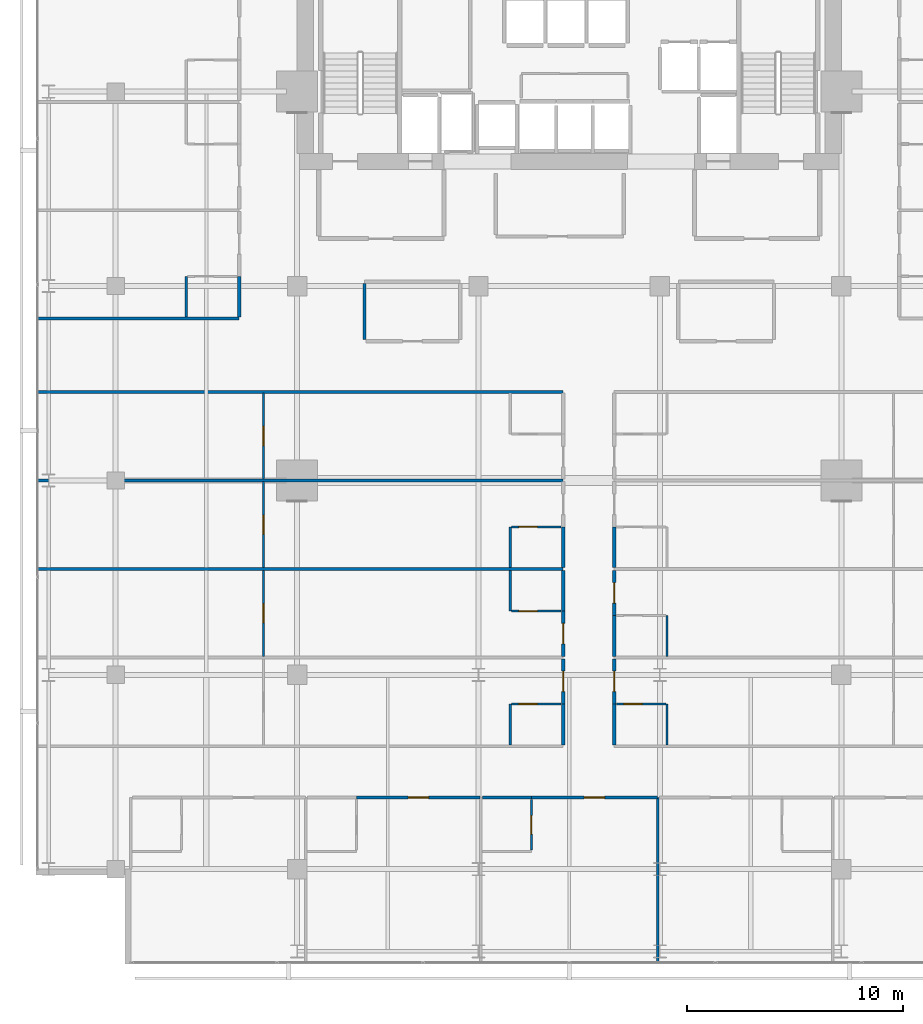
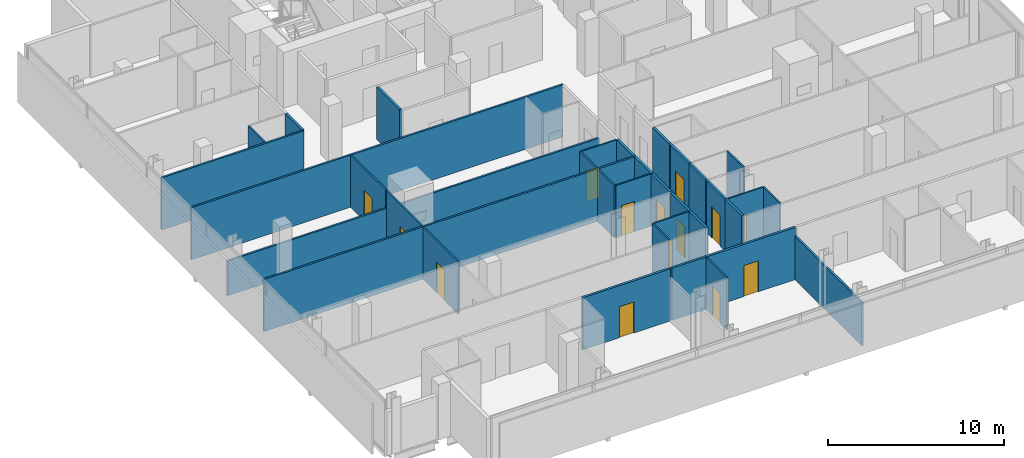
# One storey, part 27 of 34: 34 walls, 14 doors, 14 openings.
"""IFC4 building model written with IfcOpenShell, lengths in metres."""

from ifc_helpers import new_model, si_unit, direction, frame, frame_2d, origin, place, context, subcontext, project, spatial, rectangle, extrude, material, layer, layer_set, type_object, element, fill, save


model = new_model("IFC4")

# Units and contexts
model_context = context("Model", 3, precision=1e-05, world=origin(), true_north=direction((0.0, 1.0)))
body_context = subcontext(model_context, "Body", "Model", "MODEL_VIEW")
ifc_project = project(units=[si_unit("LENGTHUNIT", "METRE"), si_unit("AREAUNIT", "SQUARE_METRE"), si_unit("VOLUMEUNIT", "CUBIC_METRE"), si_unit("PLANEANGLEUNIT", "RADIAN"), si_unit("MASSUNIT", "GRAM", prefix="KILO")], contexts=[model_context])

# Site, building, storey
site_placement = place(None, origin())
site = spatial("IfcSite", under=ifc_project, at=site_placement, CompositionType="ELEMENT")
building_placement = place(site_placement, origin())
building = spatial("IfcBuilding", under=site, at=building_placement, Name="Maruvema Waterfront Hotel and Observation Tower", CompositionType="ELEMENT")
storey_placement = place(building_placement, frame((0.0, 0.0, 173.60009765625)))
storey = spatial("IfcBuildingStorey", under=building, at=storey_placement, Name="L42", CompositionType="ELEMENT", Elevation=173.60009765625)

# Wall
ifc_material_1 = material(Name="Twin-stud acoustic gypsum drywall", Category="gypsum")
ifc_layer_1 = layer(ifc_material_1, 0.14990234375, Name="Acoustic Corridor and Suite Demising Wall 150 mm")
ifc_layer_set_1 = layer_set([ifc_layer_1], Name="Twin-stud acoustic gypsum drywall")
wall_type_1 = type_object("IfcWallType", Name="Acoustic Corridor and Suite Demising Wall 150 mm", PredefinedType="PARTITIONING", material=ifc_layer_set_1)
wall_1_placement = place(storey_placement, frame((28.320068359375, 33.530029296875, 0.0), z_axis=(0.0, 0.0, 1.0), x_axis=(0.0, 1.0, 0.0)))
element("IfcWall", 1, at=wall_1_placement, inside=storey, type_object=wall_type_1, Name="L42 L42-M1 West Wall 022", PredefinedType="PARTITIONING", context=body_context, shape_type="SweptSolid", body=[
    extrude(rectangle(XDim=2.590087890625, YDim=0.14990234375, at=frame_2d((1.294921875, 0.0))), origin(), (0.0, 0.0, 1.0), 3.60986328125),
])

# Wall, opening, door
wall_2_placement = place(storey_placement, frame((27.949951171875, 12.320068359375, 0.0), z_axis=(0.0, 0.0, 1.0), x_axis=(1.0, 0.0, 0.0)))
wall_2 = element("IfcWall", 2, at=wall_2_placement, inside=storey, type_object=wall_type_1, Name="L42 Unit L42-S2 Corridor Wall 039", PredefinedType="PARTITIONING", context=body_context, shape_type="SweptSolid", body=[
    extrude(rectangle(XDim=5.72998046875, YDim=0.14990234375, at=frame_2d((2.864990234375, 0.0))), origin(), (0.0, 0.0, 1.0), 3.60986328125),
])
opening_1_placement = place(wall_2_placement, frame((2.389892578125, 0.0, 0.0)))
opening_1 = element("IfcOpeningElement", 3, at=opening_1_placement, cuts=wall_2, Name="Opening DR-095", PredefinedType="OPENING", context=body_context, shape_type="SweptSolid", body=[
    extrude(rectangle(XDim=0.949951171875, YDim=2.14990234375, at=frame_2d((0.47509765625, 1.074951171875))), frame((0.0, 0.0849609375, 0.0), z_axis=(0.0, -1.0, 0.0), x_axis=(1.0, 0.0, 0.0)), (0.0, 0.0, 1.0), 0.169921875),
])
ifc_material_2 = material(Name="Acoustic solid-core hardwood timber leaf", Category="wood")
door_type_1 = type_object("IfcDoorType", Name="Guestroom Entrance Fire Door 950x2150 mm", OperationType="NOTDEFINED", PredefinedType="DOOR", material=ifc_material_2)
door_1_placement = place(opening_1_placement, frame((0.949951171875, 0.0, 0.0), z_axis=(0.0, 0.0, 1.0), x_axis=(-1.0, 0.0, 0.0)))
door_1 = element("IfcDoor", 4, at=door_1_placement, inside=storey, type_object=door_type_1, Name="L42 Unit L42-S2 Entrance Door", OperationType="SINGLE_SWING_LEFT", OverallHeight=2.14990234375, OverallWidth=0.949951171875, PredefinedType="DOOR", context=body_context, shape_type="SweptSolid", body=[
    extrude(rectangle(XDim=0.949951171875, YDim=2.14990234375, at=frame_2d((0.47509765625, 1.074951171875))), frame((0.0, 0.02490234375, 0.0), z_axis=(0.0, -1.0, 0.0), x_axis=(1.0, 0.0, 0.0)), (0.0, 0.0, 1.0), 0.050048828125),
])
fill(opening_1, door_1)

# Wall
wall_3_placement = place(storey_placement, frame((33.780029296875, 12.320068359375, 0.0), z_axis=(0.0, 0.0, 1.0), x_axis=(1.0, 0.0, 0.0)))
element("IfcWall", 5, at=wall_3_placement, inside=storey, type_object=wall_type_1, Name="L42 Bath L42-S3 Back Wall 041", PredefinedType="PARTITIONING", context=body_context, shape_type="SweptSolid", body=[
    extrude(rectangle(XDim=2.27001953125, YDim=0.14990234375, at=frame_2d((1.135009765625, 0.0))), origin(), (0.0, 0.0, 1.0), 3.60986328125),
])

# Wall, opening, door
wall_4_placement = place(storey_placement, frame((36.050048828125, 12.320068359375, 0.0), z_axis=(0.0, 0.0, 1.0), x_axis=(1.0, 0.0, 0.0)))
wall_4 = element("IfcWall", 6, at=wall_4_placement, inside=storey, type_object=wall_type_1, Name="L42 Unit L42-S3 Corridor Wall 044", PredefinedType="PARTITIONING", context=body_context, shape_type="SweptSolid", body=[
    extrude(rectangle(XDim=5.829833984375, YDim=0.14990234375, at=frame_2d((2.9150390625, 0.0))), origin(), (0.0, 0.0, 1.0), 3.60986328125),
])
opening_2_placement = place(wall_4_placement, frame((2.43994140625, 0.0, 0.0)))
opening_2 = element("IfcOpeningElement", 7, at=opening_2_placement, cuts=wall_4, Name="Opening DR-095", PredefinedType="OPENING", context=body_context, shape_type="SweptSolid", body=[
    extrude(rectangle(XDim=0.949951171875, YDim=2.14990234375, at=frame_2d((0.47509765625, 1.074951171875))), frame((0.0, 0.0849609375, 0.0), z_axis=(0.0, -1.0, 0.0), x_axis=(1.0, 0.0, 0.0)), (0.0, 0.0, 1.0), 0.169921875),
])
door_2_placement = place(opening_2_placement, frame((0.949951171875, 0.0, 0.0), z_axis=(0.0, 0.0, 1.0), x_axis=(-1.0, 0.0, 0.0)))
door_2 = element("IfcDoor", 8, at=door_2_placement, inside=storey, type_object=door_type_1, Name="L42 Unit L42-S3 Entrance Door", OperationType="SINGLE_SWING_LEFT", OverallHeight=2.14990234375, OverallWidth=0.949951171875, PredefinedType="DOOR", context=body_context, shape_type="SweptSolid", body=[
    extrude(rectangle(XDim=0.949951171875, YDim=2.14990234375, at=frame_2d((0.47509765625, 1.074951171875))), frame((0.0, 0.02490234375, 0.0), z_axis=(0.0, -1.0, 0.0), x_axis=(1.0, 0.0, 0.0)), (0.0, 0.0, 1.0), 0.050048828125),
])
fill(opening_2, door_2)

# Wall
wall_5_placement = place(storey_placement, frame((37.52001953125, 14.760009765625, 0.0), z_axis=(0.0, 0.0, 1.0), x_axis=(0.0, 1.0, 0.0)))
element("IfcWall", 9, at=wall_5_placement, inside=storey, type_object=wall_type_1, Name="L42 Bath L42-W1 Wall 059", PredefinedType="PARTITIONING", context=body_context, shape_type="SweptSolid", body=[
    extrude(rectangle(XDim=1.889892578125, YDim=0.14990234375, at=frame_2d((0.94482421875, 0.0))), origin(), (0.0, 0.0, 1.0), 3.60986328125),
])

# Wall, opening, door
wall_6_placement = place(storey_placement, frame((37.52001953125, 16.64990234375, 0.0), z_axis=(0.0, 0.0, 1.0), x_axis=(0.0, 1.0, 0.0)))
wall_6 = element("IfcWall", 10, at=wall_6_placement, inside=storey, type_object=wall_type_1, Name="L42 Room L42-W1 Corridor Wall 060", PredefinedType="PARTITIONING", context=body_context, shape_type="SweptSolid", body=[
    extrude(rectangle(XDim=2.090087890625, YDim=0.14990234375, at=frame_2d((1.044921875, 0.0))), origin(), (0.0, 0.0, 1.0), 3.60986328125),
])
opening_3_placement = place(wall_6_placement, frame((0.570068359375, 0.0, 0.0)))
opening_3 = element("IfcOpeningElement", 11, at=opening_3_placement, cuts=wall_6, Name="Opening DR-095", PredefinedType="OPENING", context=body_context, shape_type="SweptSolid", body=[
    extrude(rectangle(XDim=0.949951171875, YDim=2.14990234375, at=frame_2d((0.47509765625, 1.074951171875))), frame((0.0, 0.0849609375, 0.0), z_axis=(0.0, -1.0, 0.0), x_axis=(1.0, 0.0, 0.0)), (0.0, 0.0, 1.0), 0.169921875),
])
door_3_placement = place(opening_3_placement, origin())
door_3 = element("IfcDoor", 12, at=door_3_placement, inside=storey, type_object=door_type_1, Name="L42 Room L42-W1 Entrance Door", OperationType="SINGLE_SWING_LEFT", OverallHeight=2.14990234375, OverallWidth=0.949951171875, PredefinedType="DOOR", context=body_context, shape_type="SweptSolid", body=[
    extrude(rectangle(XDim=0.949951171875, YDim=2.14990234375, at=frame_2d((0.47509765625, 1.074951171875))), frame((0.0, 0.02490234375, 0.0), z_axis=(0.0, -1.0, 0.0), x_axis=(1.0, 0.0, 0.0)), (0.0, 0.0, 1.0), 0.050048828125),
])
fill(opening_3, door_3)

# Wall
wall_7_placement = place(storey_placement, frame((39.8798828125, 14.760009765625, 0.0), z_axis=(0.0, 0.0, 1.0), x_axis=(0.0, 1.0, 0.0)))
element("IfcWall", 13, at=wall_7_placement, inside=storey, type_object=wall_type_1, Name="L42 Bath L42-E1 Wall 064", PredefinedType="PARTITIONING", context=body_context, shape_type="SweptSolid", body=[
    extrude(rectangle(XDim=1.889892578125, YDim=0.14990234375, at=frame_2d((0.94482421875, 0.0))), origin(), (0.0, 0.0, 1.0), 3.60986328125),
])

# Wall, opening, door
wall_8_placement = place(storey_placement, frame((39.8798828125, 16.64990234375, 0.0), z_axis=(0.0, 0.0, 1.0), x_axis=(0.0, 1.0, 0.0)))
wall_8 = element("IfcWall", 14, at=wall_8_placement, inside=storey, type_object=wall_type_1, Name="L42 Room L42-E1 Corridor Wall 065", PredefinedType="PARTITIONING", context=body_context, shape_type="SweptSolid", body=[
    extrude(rectangle(XDim=2.090087890625, YDim=0.14990234375, at=frame_2d((1.044921875, 0.0))), origin(), (0.0, 0.0, 1.0), 3.60986328125),
])
opening_4_placement = place(wall_8_placement, frame((0.570068359375, 0.0, 0.0)))
opening_4 = element("IfcOpeningElement", 15, at=opening_4_placement, cuts=wall_8, Name="Opening DR-095", PredefinedType="OPENING", context=body_context, shape_type="SweptSolid", body=[
    extrude(rectangle(XDim=0.949951171875, YDim=2.14990234375, at=frame_2d((0.47509765625, 1.074951171875))), frame((0.0, 0.0849609375, 0.0), z_axis=(0.0, -1.0, 0.0), x_axis=(1.0, 0.0, 0.0)), (0.0, 0.0, 1.0), 0.169921875),
])
door_4_placement = place(opening_4_placement, frame((0.949951171875, 0.0, 0.0), z_axis=(0.0, 0.0, 1.0), x_axis=(-1.0, 0.0, 0.0)))
door_4 = element("IfcDoor", 16, at=door_4_placement, inside=storey, type_object=door_type_1, Name="L42 Room L42-E1 Entrance Door", OperationType="SINGLE_SWING_RIGHT", OverallHeight=2.14990234375, OverallWidth=0.949951171875, PredefinedType="DOOR", context=body_context, shape_type="SweptSolid", body=[
    extrude(rectangle(XDim=0.949951171875, YDim=2.14990234375, at=frame_2d((0.47509765625, 1.074951171875))), frame((0.0, 0.02490234375, 0.0), z_axis=(0.0, -1.0, 0.0), x_axis=(1.0, 0.0, 0.0)), (0.0, 0.0, 1.0), 0.050048828125),
])
fill(opening_4, door_4)

wall_9_placement = place(storey_placement, frame((37.52001953125, 18.860107421875, 0.0), z_axis=(0.0, 0.0, 1.0), x_axis=(0.0, 1.0, 0.0)))
wall_9 = element("IfcWall", 17, at=wall_9_placement, inside=storey, type_object=wall_type_1, Name="L42 Room L42-W2 Corridor Wall 071", PredefinedType="PARTITIONING", context=body_context, shape_type="SweptSolid", body=[
    extrude(rectangle(XDim=2.08984375, YDim=0.14990234375, at=frame_2d((1.044921875, 0.0))), origin(), (0.0, 0.0, 1.0), 3.60986328125),
])
opening_5_placement = place(wall_9_placement, frame((0.570068359375, 0.0, 0.0)))
opening_5 = element("IfcOpeningElement", 18, at=opening_5_placement, cuts=wall_9, Name="Opening DR-095", PredefinedType="OPENING", context=body_context, shape_type="SweptSolid", body=[
    extrude(rectangle(XDim=0.949951171875, YDim=2.14990234375, at=frame_2d((0.47509765625, 1.074951171875))), frame((0.0, 0.0849609375, 0.0), z_axis=(0.0, -1.0, 0.0), x_axis=(1.0, 0.0, 0.0)), (0.0, 0.0, 1.0), 0.169921875),
])
door_5_placement = place(opening_5_placement, origin())
door_5 = element("IfcDoor", 19, at=door_5_placement, inside=storey, type_object=door_type_1, Name="L42 Room L42-W2 Entrance Door", OperationType="SINGLE_SWING_LEFT", OverallHeight=2.14990234375, OverallWidth=0.949951171875, PredefinedType="DOOR", context=body_context, shape_type="SweptSolid", body=[
    extrude(rectangle(XDim=0.949951171875, YDim=2.14990234375, at=frame_2d((0.47509765625, 1.074951171875))), frame((0.0, 0.02490234375, 0.0), z_axis=(0.0, -1.0, 0.0), x_axis=(1.0, 0.0, 0.0)), (0.0, 0.0, 1.0), 0.050048828125),
])
fill(opening_5, door_5)

# Walls
wall_10_placement = place(storey_placement, frame((37.52001953125, 20.949951171875, 0.0), z_axis=(0.0, 0.0, 1.0), x_axis=(0.0, 1.0, 0.0)))
element("IfcWall", 20, at=wall_10_placement, inside=storey, type_object=wall_type_1, Name="L42 Bath L42-W2 Wall 072", PredefinedType="PARTITIONING", context=body_context, shape_type="SweptSolid", body=[
    extrude(rectangle(XDim=1.89013671875, YDim=0.14990234375, at=frame_2d((0.945068359375, 0.0))), origin(), (0.0, 0.0, 1.0), 3.60986328125),
])
wall_11_placement = place(storey_placement, frame((39.8798828125, 18.860107421875, 0.0), z_axis=(0.0, 0.0, 1.0), x_axis=(0.0, 1.0, 0.0)))
element("IfcWall", 21, at=wall_11_placement, inside=storey, type_object=wall_type_1, Name="L42 Bath L42-E2 Wall 076", PredefinedType="PARTITIONING", context=body_context, shape_type="SweptSolid", body=[
    extrude(rectangle(XDim=1.889892578125, YDim=0.14990234375, at=frame_2d((0.94482421875, 0.0))), origin(), (0.0, 0.0, 1.0), 3.60986328125),
])

# Wall, opening, door
wall_12_placement = place(storey_placement, frame((39.8798828125, 20.75, 0.0), z_axis=(0.0, 0.0, 1.0), x_axis=(0.0, 1.0, 0.0)))
wall_12 = element("IfcWall", 22, at=wall_12_placement, inside=storey, type_object=wall_type_1, Name="L42 Room L42-E2 Corridor Wall 077", PredefinedType="PARTITIONING", context=body_context, shape_type="SweptSolid", body=[
    extrude(rectangle(XDim=2.090087890625, YDim=0.14990234375, at=frame_2d((1.044921875, 0.0))), origin(), (0.0, 0.0, 1.0), 3.60986328125),
])
opening_6_placement = place(wall_12_placement, frame((0.570068359375, 0.0, 0.0)))
opening_6 = element("IfcOpeningElement", 23, at=opening_6_placement, cuts=wall_12, Name="Opening DR-095", PredefinedType="OPENING", context=body_context, shape_type="SweptSolid", body=[
    extrude(rectangle(XDim=0.949951171875, YDim=2.14990234375, at=frame_2d((0.47509765625, 1.074951171875))), frame((0.0, 0.0849609375, 0.0), z_axis=(0.0, -1.0, 0.0), x_axis=(1.0, 0.0, 0.0)), (0.0, 0.0, 1.0), 0.169921875),
])
door_6_placement = place(opening_6_placement, frame((0.949951171875, 0.0, 0.0), z_axis=(0.0, 0.0, 1.0), x_axis=(-1.0, 0.0, 0.0)))
door_6 = element("IfcDoor", 24, at=door_6_placement, inside=storey, type_object=door_type_1, Name="L42 Room L42-E2 Entrance Door", OperationType="SINGLE_SWING_RIGHT", OverallHeight=2.14990234375, OverallWidth=0.949951171875, PredefinedType="DOOR", context=body_context, shape_type="SweptSolid", body=[
    extrude(rectangle(XDim=0.949951171875, YDim=2.14990234375, at=frame_2d((0.47509765625, 1.074951171875))), frame((0.0, 0.02490234375, 0.0), z_axis=(0.0, -1.0, 0.0), x_axis=(1.0, 0.0, 0.0)), (0.0, 0.0, 1.0), 0.050048828125),
])
fill(opening_6, door_6)

# Walls
for number, where, z_axis, x_axis, name in (
    (25, (37.52001953125, 22.9599609375, 0.0), (0.0, 0.0, 1.0), (0.0, 1.0, 0.0), "L42 Bath L42-W3 Wall 083"),
    (26, (39.8798828125, 22.9599609375, 0.0), (0.0, 0.0, 1.0), (0.0, 1.0, 0.0), "L42 Bath L42-E3 Wall 088"),
):
    element("IfcWall", number, at=place(storey_placement, frame(where, z_axis=z_axis, x_axis=x_axis)), inside=storey, type_object=wall_type_1, Name=name, PredefinedType="PARTITIONING", context=body_context, shape_type="SweptSolid", body=[
        extrude(rectangle(XDim=1.89013671875, YDim=0.14990234375, at=frame_2d((0.945068359375, 0.0))), origin(), (0.0, 0.0, 1.0), 3.60986328125),
    ])
wall_13_placement = place(storey_placement, frame((22.52001953125, 34.56005859375, 0.0), z_axis=(0.0, 0.0, 1.0), x_axis=(0.0, 1.0, 0.0)))
element("IfcWall", 27, at=wall_13_placement, inside=storey, type_object=wall_type_1, Name="L42 Bath L42-NW1 Wall 109", PredefinedType="PARTITIONING", context=body_context, shape_type="SweptSolid", body=[
    extrude(rectangle(XDim=1.889892578125, YDim=0.14990234375, at=frame_2d((0.94482421875, 0.0))), origin(), (0.0, 0.0, 1.0), 3.60986328125),
])

# Wall, opening, door
ifc_material_3 = material(Name="Moisture-resistant cement-board drywall", Category="gypsum")
ifc_layer_2 = layer(ifc_material_3, 0.10009765625, Name="En-Suite Moisture-Resistant Partition 100 mm")
ifc_layer_set_2 = layer_set([ifc_layer_2], Name="Moisture-resistant cement-board drywall")
wall_type_2 = type_object("IfcWallType", Name="En-Suite Moisture-Resistant Partition 100 mm", PredefinedType="PARTITIONING", material=ifc_layer_set_2)
wall_14_placement = place(storey_placement, frame((36.050048828125, 9.8798828125, 0.0), z_axis=(0.0, 0.0, 1.0), x_axis=(0.0, 1.0, 0.0)))
wall_14 = element("IfcWall", 28, at=wall_14_placement, inside=storey, type_object=wall_type_2, Name="L42 En-Suite L42-S3 East 043", PredefinedType="PARTITIONING", context=body_context, shape_type="SweptSolid", body=[
    extrude(rectangle(XDim=2.340087890625, YDim=0.10009765625, at=frame_2d((1.169921875, 0.0))), origin(), (0.0, 0.0, 1.0), 3.60986328125),
])
opening_7_placement = place(wall_14_placement, frame((0.7451171875, 0.0, 0.0)))
opening_7 = element("IfcOpeningElement", 29, at=opening_7_placement, cuts=wall_14, Name="Opening DR-085", PredefinedType="OPENING", context=body_context, shape_type="SweptSolid", body=[
    extrude(rectangle(XDim=0.85009765625, YDim=2.10009765625, at=frame_2d((0.425048828125, 1.050048828125))), frame((0.0, 0.06005859375, 0.0), z_axis=(0.0, -1.0, 0.0), x_axis=(1.0, 0.0, 0.0)), (0.0, 0.0, 1.0), 0.1201171875),
])
ifc_material_4 = material(Name="Moisture-resistant solid timber leaf", Category="wood")
door_type_2 = type_object("IfcDoorType", Name="En-Suite Bathroom Door 850x2100 mm", OperationType="NOTDEFINED", PredefinedType="DOOR", material=ifc_material_4)
door_7_placement = place(opening_7_placement, frame((0.85009765625, 0.0, 0.0), z_axis=(0.0, 0.0, 1.0), x_axis=(-1.0, 0.0, 0.0)))
door_7 = element("IfcDoor", 30, at=door_7_placement, inside=storey, type_object=door_type_2, Name="L42 En-Suite L42-S3 Door", OperationType="SINGLE_SWING_RIGHT", OverallHeight=2.10009765625, OverallWidth=0.85009765625, PredefinedType="DOOR", context=body_context, shape_type="SweptSolid", body=[
    extrude(rectangle(XDim=0.85009765625, YDim=2.10009765625, at=frame_2d((0.425048828125, 1.050048828125))), frame((0.0, 0.02490234375, 0.0), z_axis=(0.0, -1.0, 0.0), x_axis=(1.0, 0.0, 0.0)), (0.0, 0.0, 1.0), 0.050048828125),
])
fill(opening_7, door_7)

# Wall
wall_15_placement = place(storey_placement, frame((35.070068359375, 14.760009765625, 0.0), z_axis=(0.0, 0.0, 1.0), x_axis=(0.0, 1.0, 0.0)))
element("IfcWall", 31, at=wall_15_placement, inside=storey, type_object=wall_type_2, Name="L42 En-Suite L42-W1 W 061", PredefinedType="PARTITIONING", context=body_context, shape_type="SweptSolid", body=[
    extrude(rectangle(XDim=1.889892578125, YDim=0.10009765625, at=frame_2d((0.94482421875, 0.0))), origin(), (0.0, 0.0, 1.0), 3.60986328125),
])

# Wall, opening, door
wall_16_placement = place(storey_placement, frame((35.1201171875, 16.64990234375, 0.0), z_axis=(0.0, 0.0, 1.0), x_axis=(1.0, 0.0, 0.0)))
wall_16 = element("IfcWall", 32, at=wall_16_placement, inside=storey, type_object=wall_type_2, Name="L42 En-Suite L42-W1 N 062", PredefinedType="PARTITIONING", context=body_context, shape_type="SweptSolid", body=[
    extrude(rectangle(XDim=2.2998046875, YDim=0.10009765625, at=frame_2d((1.14990234375, 0.0))), origin(), (0.0, 0.0, 1.0), 3.60986328125),
])
opening_8_placement = place(wall_16_placement, frame((0.35009765625, 0.0, 0.0)))
opening_8 = element("IfcOpeningElement", 33, at=opening_8_placement, cuts=wall_16, Name="Opening DR-085", PredefinedType="OPENING", context=body_context, shape_type="SweptSolid", body=[
    extrude(rectangle(XDim=0.85009765625, YDim=2.10009765625, at=frame_2d((0.425048828125, 1.050048828125))), frame((0.0, 0.06005859375, 0.0), z_axis=(0.0, -1.0, 0.0), x_axis=(1.0, 0.0, 0.0)), (0.0, 0.0, 1.0), 0.1201171875),
])
door_8_placement = place(opening_8_placement, origin())
door_8 = element("IfcDoor", 34, at=door_8_placement, inside=storey, type_object=door_type_2, Name="L42 En-Suite L42-W1 Door", OperationType="SINGLE_SWING_RIGHT", OverallHeight=2.10009765625, OverallWidth=0.85009765625, PredefinedType="DOOR", context=body_context, shape_type="SweptSolid", body=[
    extrude(rectangle(XDim=0.85009765625, YDim=2.10009765625, at=frame_2d((0.425048828125, 1.050048828125))), frame((0.0, 0.02490234375, 0.0), z_axis=(0.0, -1.0, 0.0), x_axis=(1.0, 0.0, 0.0)), (0.0, 0.0, 1.0), 0.050048828125),
])
fill(opening_8, door_8)

# Wall
wall_17_placement = place(storey_placement, frame((42.330078125, 14.760009765625, 0.0), z_axis=(0.0, 0.0, 1.0), x_axis=(0.0, 1.0, 0.0)))
element("IfcWall", 35, at=wall_17_placement, inside=storey, type_object=wall_type_2, Name="L42 En-Suite L42-E1 E 066", PredefinedType="PARTITIONING", context=body_context, shape_type="SweptSolid", body=[
    extrude(rectangle(XDim=1.889892578125, YDim=0.10009765625, at=frame_2d((0.94482421875, 0.0))), origin(), (0.0, 0.0, 1.0), 3.60986328125),
])

# Wall, opening, door
wall_18_placement = place(storey_placement, frame((39.97998046875, 16.64990234375, 0.0), z_axis=(0.0, 0.0, 1.0), x_axis=(1.0, 0.0, 0.0)))
wall_18 = element("IfcWall", 36, at=wall_18_placement, inside=storey, type_object=wall_type_2, Name="L42 En-Suite L42-E1 N 067", PredefinedType="PARTITIONING", context=body_context, shape_type="SweptSolid", body=[
    extrude(rectangle(XDim=2.300048828125, YDim=0.10009765625, at=frame_2d((1.14990234375, 0.0))), origin(), (0.0, 0.0, 1.0), 3.60986328125),
])
opening_9_placement = place(wall_18_placement, frame((0.35009765625, 0.0, 0.0)))
opening_9 = element("IfcOpeningElement", 37, at=opening_9_placement, cuts=wall_18, Name="Opening DR-085", PredefinedType="OPENING", context=body_context, shape_type="SweptSolid", body=[
    extrude(rectangle(XDim=0.85009765625, YDim=2.10009765625, at=frame_2d((0.425048828125, 1.050048828125))), frame((0.0, 0.06005859375, 0.0), z_axis=(0.0, -1.0, 0.0), x_axis=(1.0, 0.0, 0.0)), (0.0, 0.0, 1.0), 0.1201171875),
])
door_9_placement = place(opening_9_placement, origin())
door_9 = element("IfcDoor", 38, at=door_9_placement, inside=storey, type_object=door_type_2, Name="L42 En-Suite L42-E1 Door", OperationType="SINGLE_SWING_LEFT", OverallHeight=2.10009765625, OverallWidth=0.85009765625, PredefinedType="DOOR", context=body_context, shape_type="SweptSolid", body=[
    extrude(rectangle(XDim=0.85009765625, YDim=2.10009765625, at=frame_2d((0.425048828125, 1.050048828125))), frame((0.0, 0.02490234375, 0.0), z_axis=(0.0, -1.0, 0.0), x_axis=(1.0, 0.0, 0.0)), (0.0, 0.0, 1.0), 0.050048828125),
])
fill(opening_9, door_9)

# Wall
wall_19_placement = place(storey_placement, frame((35.070068359375, 20.949951171875, 0.0), z_axis=(0.0, 0.0, 1.0), x_axis=(0.0, 1.0, 0.0)))
element("IfcWall", 39, at=wall_19_placement, inside=storey, type_object=wall_type_2, Name="L42 En-Suite L42-W2 W 073", PredefinedType="PARTITIONING", context=body_context, shape_type="SweptSolid", body=[
    extrude(rectangle(XDim=1.89013671875, YDim=0.10009765625, at=frame_2d((0.945068359375, 0.0))), origin(), (0.0, 0.0, 1.0), 3.60986328125),
])

# Wall, opening, door
wall_20_placement = place(storey_placement, frame((35.1201171875, 20.949951171875, 0.0), z_axis=(0.0, 0.0, 1.0), x_axis=(1.0, 0.0, 0.0)))
wall_20 = element("IfcWall", 40, at=wall_20_placement, inside=storey, type_object=wall_type_2, Name="L42 En-Suite L42-W2 S 074", PredefinedType="PARTITIONING", context=body_context, shape_type="SweptSolid", body=[
    extrude(rectangle(XDim=2.2998046875, YDim=0.10009765625, at=frame_2d((1.14990234375, 0.0))), origin(), (0.0, 0.0, 1.0), 3.60986328125),
])
opening_10_placement = place(wall_20_placement, frame((0.35009765625, 0.0, 0.0)))
opening_10 = element("IfcOpeningElement", 41, at=opening_10_placement, cuts=wall_20, Name="Opening DR-085", PredefinedType="OPENING", context=body_context, shape_type="SweptSolid", body=[
    extrude(rectangle(XDim=0.85009765625, YDim=2.10009765625, at=frame_2d((0.425048828125, 1.050048828125))), frame((0.0, 0.06005859375, 0.0), z_axis=(0.0, -1.0, 0.0), x_axis=(1.0, 0.0, 0.0)), (0.0, 0.0, 1.0), 0.1201171875),
])
door_10_placement = place(opening_10_placement, frame((0.85009765625, 0.0, 0.0), z_axis=(0.0, 0.0, 1.0), x_axis=(-1.0, 0.0, 0.0)))
door_10 = element("IfcDoor", 42, at=door_10_placement, inside=storey, type_object=door_type_2, Name="L42 En-Suite L42-W2 Door", OperationType="SINGLE_SWING_RIGHT", OverallHeight=2.10009765625, OverallWidth=0.85009765625, PredefinedType="DOOR", context=body_context, shape_type="SweptSolid", body=[
    extrude(rectangle(XDim=0.85009765625, YDim=2.10009765625, at=frame_2d((0.425048828125, 1.050048828125))), frame((0.0, 0.02490234375, 0.0), z_axis=(0.0, -1.0, 0.0), x_axis=(1.0, 0.0, 0.0)), (0.0, 0.0, 1.0), 0.050048828125),
])
fill(opening_10, door_10)

wall_21_placement = place(storey_placement, frame((23.6455078125, 18.860107421875, 0.0), z_axis=(0.0, 0.0, 1.0), x_axis=(0.0, 1.0, 0.0)))
wall_21 = element("IfcWall", 43, at=wall_21_placement, inside=storey, type_object=wall_type_2, Name="L42 Suite L42-W2 Split 075", PredefinedType="PARTITIONING", context=body_context, shape_type="SweptSolid", body=[
    extrude(rectangle(XDim=3.97998046875, YDim=0.10009765625, at=frame_2d((1.989990234375, 0.0))), origin(), (0.0, 0.0, 1.0), 3.60986328125),
])
opening_11_placement = place(wall_21_placement, frame((1.5400390625, 0.0, 0.0)))
opening_11 = element("IfcOpeningElement", 44, at=opening_11_placement, cuts=wall_21, Name="Opening DR-090", PredefinedType="OPENING", context=body_context, shape_type="SweptSolid", body=[
    extrude(rectangle(XDim=0.89990234375, YDim=2.10009765625, at=frame_2d((0.449951171875, 1.050048828125))), frame((0.0, 0.06005859375, 0.0), z_axis=(0.0, -1.0, 0.0), x_axis=(1.0, 0.0, 0.0)), (0.0, 0.0, 1.0), 0.1201171875),
])
ifc_material_5 = material(Name="Solid-core lacquered timber leaf", Category="wood")
door_type_3 = type_object("IfcDoorType", Name="Accessible Toilet and Room Door 900x2100 mm", OperationType="NOTDEFINED", PredefinedType="DOOR", material=ifc_material_5)
door_11_placement = place(opening_11_placement, origin())
door_11 = element("IfcDoor", 45, at=door_11_placement, inside=storey, type_object=door_type_3, Name="L42 Suite L42-W2 Bedroom Door", OperationType="SINGLE_SWING_RIGHT", OverallHeight=2.10009765625, OverallWidth=0.89990234375, PredefinedType="DOOR", context=body_context, shape_type="SweptSolid", body=[
    extrude(rectangle(XDim=0.89990234375, YDim=2.10009765625, at=frame_2d((0.449951171875, 1.050048828125))), frame((0.0, 0.02490234375, 0.0), z_axis=(0.0, -1.0, 0.0), x_axis=(1.0, 0.0, 0.0)), (0.0, 0.0, 1.0), 0.050048828125),
])
fill(opening_11, door_11)

# Walls
wall_22_placement = place(storey_placement, frame((42.330078125, 18.860107421875, 0.0), z_axis=(0.0, 0.0, 1.0), x_axis=(0.0, 1.0, 0.0)))
element("IfcWall", 46, at=wall_22_placement, inside=storey, type_object=wall_type_2, Name="L42 En-Suite L42-E2 E 078", PredefinedType="PARTITIONING", context=body_context, shape_type="SweptSolid", body=[
    extrude(rectangle(XDim=1.889892578125, YDim=0.10009765625, at=frame_2d((0.94482421875, 0.0))), origin(), (0.0, 0.0, 1.0), 3.60986328125),
])
wall_23_placement = place(storey_placement, frame((35.070068359375, 22.9599609375, 0.0), z_axis=(0.0, 0.0, 1.0), x_axis=(0.0, 1.0, 0.0)))
element("IfcWall", 47, at=wall_23_placement, inside=storey, type_object=wall_type_2, Name="L42 En-Suite L42-W3 W 085", PredefinedType="PARTITIONING", context=body_context, shape_type="SweptSolid", body=[
    extrude(rectangle(XDim=1.89013671875, YDim=0.10009765625, at=frame_2d((0.945068359375, 0.0))), origin(), (0.0, 0.0, 1.0), 3.60986328125),
])

# Wall, opening, door
wall_24_placement = place(storey_placement, frame((35.1201171875, 24.85009765625, 0.0), z_axis=(0.0, 0.0, 1.0), x_axis=(1.0, 0.0, 0.0)))
wall_24 = element("IfcWall", 48, at=wall_24_placement, inside=storey, type_object=wall_type_2, Name="L42 En-Suite L42-W3 N 086", PredefinedType="PARTITIONING", context=body_context, shape_type="SweptSolid", body=[
    extrude(rectangle(XDim=2.2998046875, YDim=0.10009765625, at=frame_2d((1.14990234375, 0.0))), origin(), (0.0, 0.0, 1.0), 3.60986328125),
])
opening_12_placement = place(wall_24_placement, frame((0.35009765625, 0.0, 0.0)))
opening_12 = element("IfcOpeningElement", 49, at=opening_12_placement, cuts=wall_24, Name="Opening DR-085", PredefinedType="OPENING", context=body_context, shape_type="SweptSolid", body=[
    extrude(rectangle(XDim=0.85009765625, YDim=2.10009765625, at=frame_2d((0.425048828125, 1.050048828125))), frame((0.0, 0.06005859375, 0.0), z_axis=(0.0, -1.0, 0.0), x_axis=(1.0, 0.0, 0.0)), (0.0, 0.0, 1.0), 0.1201171875),
])
door_12_placement = place(opening_12_placement, origin())
door_12 = element("IfcDoor", 50, at=door_12_placement, inside=storey, type_object=door_type_2, Name="L42 En-Suite L42-W3 Door", OperationType="SINGLE_SWING_RIGHT", OverallHeight=2.10009765625, OverallWidth=0.85009765625, PredefinedType="DOOR", context=body_context, shape_type="SweptSolid", body=[
    extrude(rectangle(XDim=0.85009765625, YDim=2.10009765625, at=frame_2d((0.425048828125, 1.050048828125))), frame((0.0, 0.02490234375, 0.0), z_axis=(0.0, -1.0, 0.0), x_axis=(1.0, 0.0, 0.0)), (0.0, 0.0, 1.0), 0.050048828125),
])
fill(opening_12, door_12)

wall_25_placement = place(storey_placement, frame((23.6455078125, 22.9599609375, 0.0), z_axis=(0.0, 0.0, 1.0), x_axis=(0.0, 1.0, 0.0)))
wall_25 = element("IfcWall", 51, at=wall_25_placement, inside=storey, type_object=wall_type_2, Name="L42 Suite L42-W3 Split 087", PredefinedType="PARTITIONING", context=body_context, shape_type="SweptSolid", body=[
    extrude(rectangle(XDim=3.97998046875, YDim=0.10009765625, at=frame_2d((1.989990234375, 0.0))), origin(), (0.0, 0.0, 1.0), 3.60986328125),
])
opening_13_placement = place(wall_25_placement, frame((1.5400390625, 0.0, 0.0)))
opening_13 = element("IfcOpeningElement", 52, at=opening_13_placement, cuts=wall_25, Name="Opening DR-090", PredefinedType="OPENING", context=body_context, shape_type="SweptSolid", body=[
    extrude(rectangle(XDim=0.89990234375, YDim=2.10009765625, at=frame_2d((0.449951171875, 1.050048828125))), frame((0.0, 0.06005859375, 0.0), z_axis=(0.0, -1.0, 0.0), x_axis=(1.0, 0.0, 0.0)), (0.0, 0.0, 1.0), 0.1201171875),
])
door_13_placement = place(opening_13_placement, origin())
door_13 = element("IfcDoor", 53, at=door_13_placement, inside=storey, type_object=door_type_3, Name="L42 Suite L42-W3 Bedroom Door", OperationType="SINGLE_SWING_RIGHT", OverallHeight=2.10009765625, OverallWidth=0.89990234375, PredefinedType="DOOR", context=body_context, shape_type="SweptSolid", body=[
    extrude(rectangle(XDim=0.89990234375, YDim=2.10009765625, at=frame_2d((0.449951171875, 1.050048828125))), frame((0.0, 0.02490234375, 0.0), z_axis=(0.0, -1.0, 0.0), x_axis=(1.0, 0.0, 0.0)), (0.0, 0.0, 1.0), 0.050048828125),
])
fill(opening_13, door_13)

wall_26_placement = place(storey_placement, frame((23.6455078125, 27.06005859375, 0.0), z_axis=(0.0, 0.0, 1.0), x_axis=(0.0, 1.0, 0.0)))
wall_26 = element("IfcWall", 54, at=wall_26_placement, inside=storey, type_object=wall_type_2, Name="L42 Suite L42-W4 Split 099", PredefinedType="PARTITIONING", context=body_context, shape_type="SweptSolid", body=[
    extrude(rectangle(XDim=3.97998046875, YDim=0.10009765625, at=frame_2d((1.989990234375, 0.0))), origin(), (0.0, 0.0, 1.0), 3.60986328125),
])
opening_14_placement = place(wall_26_placement, frame((1.5400390625, 0.0, 0.0)))
opening_14 = element("IfcOpeningElement", 55, at=opening_14_placement, cuts=wall_26, Name="Opening DR-090", PredefinedType="OPENING", context=body_context, shape_type="SweptSolid", body=[
    extrude(rectangle(XDim=0.89990234375, YDim=2.10009765625, at=frame_2d((0.449951171875, 1.050048828125))), frame((0.0, 0.06005859375, 0.0), z_axis=(0.0, -1.0, 0.0), x_axis=(1.0, 0.0, 0.0)), (0.0, 0.0, 1.0), 0.1201171875),
])
door_14_placement = place(opening_14_placement, origin())
door_14 = element("IfcDoor", 56, at=door_14_placement, inside=storey, type_object=door_type_3, Name="L42 Suite L42-W4 Bedroom Door", OperationType="SINGLE_SWING_RIGHT", OverallHeight=2.10009765625, OverallWidth=0.89990234375, PredefinedType="DOOR", context=body_context, shape_type="SweptSolid", body=[
    extrude(rectangle(XDim=0.89990234375, YDim=2.10009765625, at=frame_2d((0.449951171875, 1.050048828125))), frame((0.0, 0.02490234375, 0.0), z_axis=(0.0, -1.0, 0.0), x_axis=(1.0, 0.0, 0.0)), (0.0, 0.0, 1.0), 0.050048828125),
])
fill(opening_14, door_14)

# Walls
wall_27_placement = place(storey_placement, frame((20.070068359375, 34.56005859375, 0.0), z_axis=(0.0, 0.0, 1.0), x_axis=(0.0, 1.0, 0.0)))
element("IfcWall", 57, at=wall_27_placement, inside=storey, type_object=wall_type_2, Name="L42 En-Suite L42-NW1 W 111", PredefinedType="PARTITIONING", context=body_context, shape_type="SweptSolid", body=[
    extrude(rectangle(XDim=1.889892578125, YDim=0.10009765625, at=frame_2d((0.94482421875, 0.0))), origin(), (0.0, 0.0, 1.0), 3.60986328125),
])
ifc_material_6 = material(Name="Acoustic gypsum plasterboard drywall", Category="gypsum")
ifc_layer_3 = layer(ifc_material_6, 0.125, Name="Guestroom Acoustic Demising Wall 125 mm")
ifc_layer_set_3 = layer_set([ifc_layer_3], Name="Acoustic gypsum plasterboard drywall")
wall_type_3 = type_object("IfcWallType", Name="Guestroom Acoustic Demising Wall 125 mm", PredefinedType="PARTITIONING", material=ifc_layer_set_3)
wall_28_placement = place(storey_placement, frame((41.89990234375, 4.699951171875, 0.0), z_axis=(0.0, 0.0, 1.0), x_axis=(0.0, 1.0, 0.0)))
element("IfcWall", 58, at=wall_28_placement, inside=storey, type_object=wall_type_3, Name="L42 Z2 S Demising 4 045", PredefinedType="PARTITIONING", context=body_context, shape_type="SweptSolid", body=[
    extrude(rectangle(XDim=7.6201171875, YDim=0.125, at=frame_2d((3.81005859375, 0.0))), origin(), (0.0, 0.0, 1.0), 3.0068359375),
])
for number, where, z_axis, x_axis, name in (
    (59, (13.199951171875, 31.10009765625, 0.0), (0.0, 0.0, 1.0), (1.0, 0.0, 0.0), "L42 Z2 W Top End 057"),
    (60, (13.199951171875, 22.89990234375, 0.0), (0.0, 0.0, 1.0), (1.0, 0.0, 0.0), "L42 Z2 W Demising 3 081"),
):
    element("IfcWall", number, at=place(storey_placement, frame(where, z_axis=z_axis, x_axis=x_axis)), inside=storey, type_object=wall_type_3, Name=name, PredefinedType="PARTITIONING", context=body_context, shape_type="SweptSolid", body=[
        extrude(rectangle(XDim=24.320068359375, YDim=0.125, at=frame_2d((12.16015625, 0.0))), origin(), (0.0, 0.0, 1.0), 3.60986328125),
    ])
wall_29_placement = place(storey_placement, frame((13.199951171875, 27.0, 0.0), z_axis=(0.0, 0.0, 1.0), x_axis=(1.0, 0.0, 0.0)))
element("IfcWall", 61, at=wall_29_placement, inside=storey, type_object=wall_type_3, Name="L42 Z2 W Demising 4 093", PredefinedType="PARTITIONING", context=body_context, shape_type="SweptSolid", body=[
    extrude(rectangle(XDim=24.320068359375, YDim=0.125, at=frame_2d((12.16015625, 0.0))), origin(), (0.0, 0.0, 1.0), 2.409912109375),
])
wall_30_placement = place(storey_placement, frame((13.199951171875, 34.5, 0.0), z_axis=(0.0, 0.0, 1.0), x_axis=(1.0, 0.0, 0.0)))
element("IfcWall", 62, at=wall_30_placement, inside=storey, type_object=wall_type_3, Name="L42 Z2 NW Bot End 105", PredefinedType="PARTITIONING", context=body_context, shape_type="SweptSolid", body=[
    extrude(rectangle(XDim=9.320068359375, YDim=0.125, at=frame_2d((4.66015625, 0.0))), origin(), (0.0, 0.0, 1.0), 3.60986328125),
])

save(model, "model.ifc")
